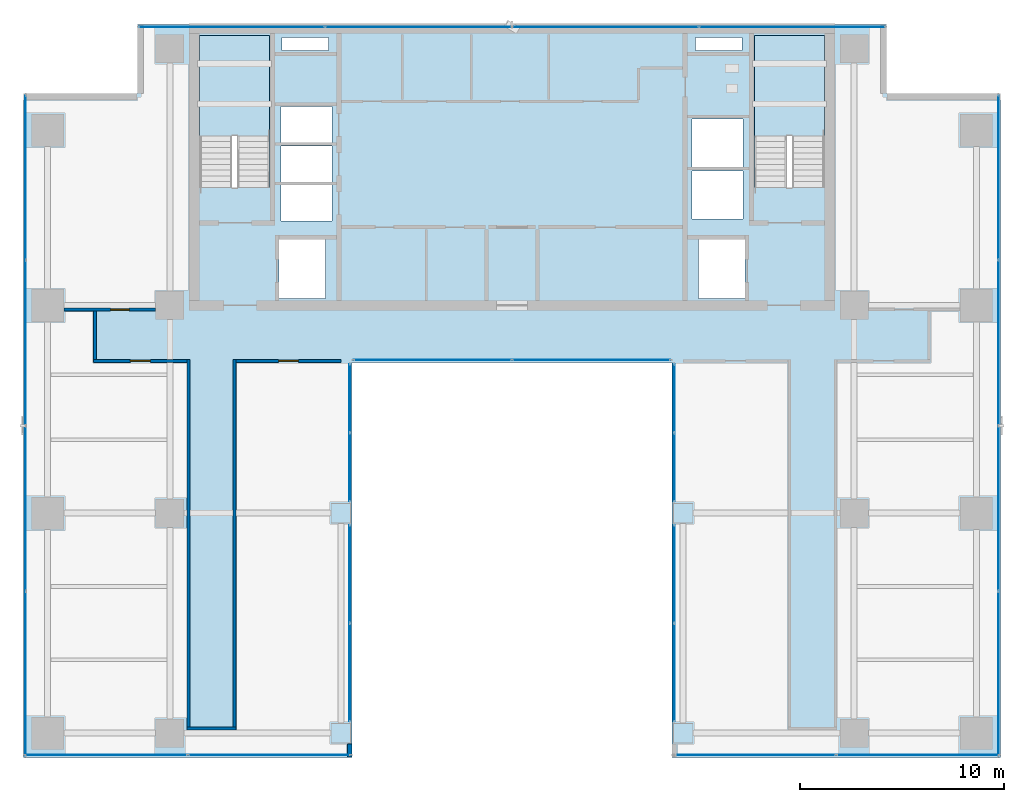
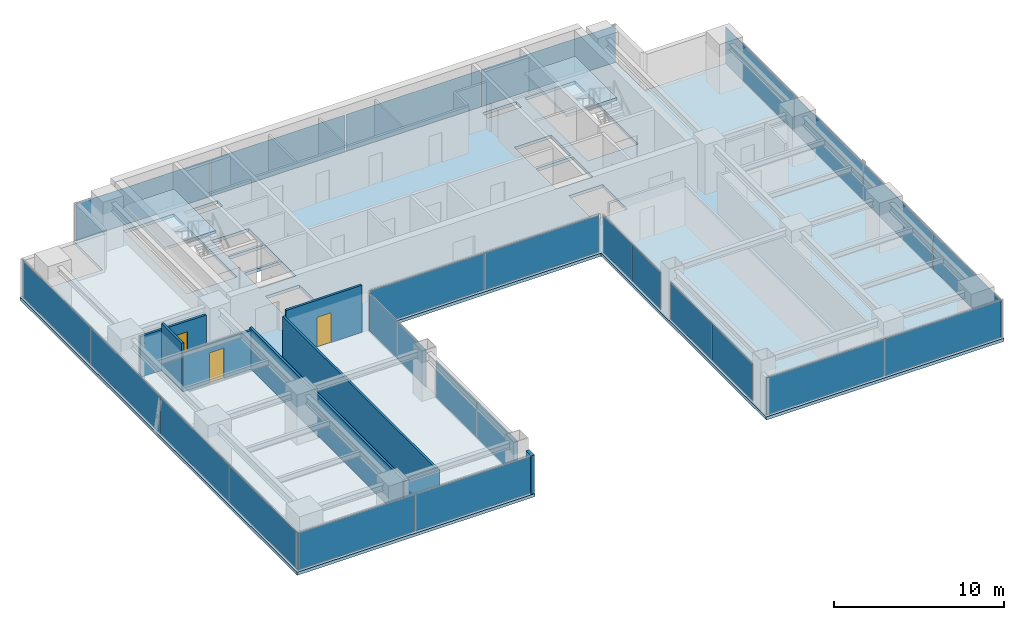
# One storey, part 23 of 28: 26 plates, 8 walls, 3 doors, 3 slabs, 3 openings, 12 elements without a shape of their own.
"""IFC4 building model written with IfcOpenShell, lengths in metres."""

from ifc_helpers import new_model, si_unit, direction, frame, frame_2d, origin, origin_2d, place, context, subcontext, project, spatial, polyline, rectangle, outline, extrude, source, transform, mapped, material, layer, layer_set, type_object, element, fill, aggregate, save


model = new_model("IFC4")

# Units and contexts
model_context = context("Model", 3, precision=1e-05, world=origin(), true_north=direction((0.0, 1.0)))
body_context = subcontext(model_context, "Body", "Model", "MODEL_VIEW")
ifc_project = project(units=[si_unit("LENGTHUNIT", "METRE"), si_unit("AREAUNIT", "SQUARE_METRE"), si_unit("VOLUMEUNIT", "CUBIC_METRE"), si_unit("PLANEANGLEUNIT", "RADIAN"), si_unit("MASSUNIT", "GRAM", prefix="KILO")], contexts=[model_context])

# Site, building, storey
site_placement = place(None, origin())
site = spatial("IfcSite", under=ifc_project, at=site_placement, CompositionType="ELEMENT")
building_placement = place(site_placement, origin())
building = spatial("IfcBuilding", under=site, at=building_placement, Name="Sumidabori Civic Tower", CompositionType="ELEMENT")
storey_placement = place(building_placement, frame((0.0, 0.0, 210.800048828125)))
storey = spatial("IfcBuildingStorey", under=building, at=storey_placement, Name="L54", CompositionType="ELEMENT", Elevation=210.800048828125)

# Stair, slab
ifc_material_1 = material(Name="Concrete C40/50", Category="concrete")
stair_type = type_object("IfcStairType", Name="ST-CORE-1600", PredefinedType="HALF_TURN_STAIR", material=ifc_material_1)
stair_1_placement = place(storey_placement, origin())
stair_1 = element("IfcStair", 1, at=stair_1_placement, inside=storey, type_object=stair_type, Name="L54 ST-1", PredefinedType="HALF_TURN_STAIR")
ifc_layer_1 = layer(ifc_material_1, 0.199951171875, Name="Concrete C40/50")
ifc_layer_set_1 = layer_set([ifc_layer_1], Name="Concrete C40/50")
slab_type_1 = type_object("IfcSlabType", Name="SL-LAND-200", PredefinedType="LANDING", material=ifc_layer_set_1)
slab_1_placement = place(storey_placement, frame((0.0, 0.0, 1.599853515625)))
slab_1 = element("IfcSlab", 2, at=slab_1_placement, type_object=slab_type_1, Name="ST-1 landing 1", PredefinedType="LANDING", context=body_context, shape_type="SweptSolid", body=[
    extrude(outline(polyline([(-11.89990234375, 18.52001953125), (-11.89990234375, 23.449951171875), (-15.340087890625, 23.449951171875), (-15.340087890625, 18.52001953125), (-11.89990234375, 18.52001953125)])), origin(), (0.0, 0.0, 1.0), 0.2001953125),
])
aggregate(stair_1, [slab_1])

stair_2_placement = place(storey_placement, origin())
stair_2 = element("IfcStair", 3, at=stair_2_placement, inside=storey, type_object=stair_type, Name="L54 ST-2", PredefinedType="HALF_TURN_STAIR")
slab_2_placement = place(storey_placement, frame((0.0, 0.0, 1.599853515625)))
slab_2 = element("IfcSlab", 4, at=slab_2_placement, type_object=slab_type_1, Name="ST-2 landing 1", PredefinedType="LANDING", context=body_context, shape_type="SweptSolid", body=[
    extrude(outline(polyline([(15.340087890625, 18.52001953125), (15.340087890625, 23.449951171875), (11.89990234375, 23.449951171875), (11.89990234375, 18.52001953125), (15.340087890625, 18.52001953125)])), origin(), (0.0, 0.0, 1.0), 0.2001953125),
])
aggregate(stair_2, [slab_2])

# Slab
ifc_layer_2 = layer(ifc_material_1, 0.219970703125, Name="Concrete C40/50")
ifc_layer_set_2 = layer_set([ifc_layer_2], Name="Concrete C40/50")
slab_type_2 = type_object("IfcSlabType", Name="SL-Z3-220", PredefinedType="FLOOR", material=ifc_layer_set_2)
slab_3_placement = place(storey_placement, frame((0.0, 0.0, -0.219970703125)))
element("IfcSlab", 5, at=slab_3_placement, inside=storey, type_object=slab_type_2, Name="Structural Slab L54", PredefinedType="FLOOR", context=body_context, shape_type="SweptSolid", body=[
    extrude(outline(polyline([(-24.0, -12.0), (-7.85009765625, -12.0), (-7.85009765625, 7.39990234375), (7.85009765625, 7.39990234375), (7.85009765625, -12.0), (24.0, -12.0), (24.0, 20.60009765625), (18.39990234375, 20.60009765625), (18.39990234375, 24.0), (-18.39990234375, 24.0), (-18.39990234375, 20.60009765625), (-24.0, 20.60009765625), (-24.0, -12.0)]), holes=[polyline([(-11.89990234375, 16.0), (-11.89990234375, 23.449951171875), (-15.340087890625, 23.449951171875), (-15.340087890625, 16.0), (-11.89990234375, 16.0)]), polyline([(15.340087890625, 16.0), (15.340087890625, 23.449951171875), (11.89990234375, 23.449951171875), (11.89990234375, 16.0), (15.340087890625, 16.0)]), polyline([(-11.449951171875, 10.550048828125), (-9.14990234375, 10.550048828125), (-9.14990234375, 13.449951171875), (-11.449951171875, 13.449951171875), (-11.449951171875, 10.550048828125)]), polyline([(9.14990234375, 10.550048828125), (11.449951171875, 10.550048828125), (11.449951171875, 13.449951171875), (9.14990234375, 13.449951171875), (9.14990234375, 10.550048828125)]), polyline([(-11.35009765625, 14.35009765625), (-8.85009765625, 14.35009765625), (-8.85009765625, 16.1201171875), (-11.35009765625, 16.1201171875), (-11.35009765625, 14.35009765625)]), polyline([(-11.35009765625, 16.27001953125), (-8.85009765625, 16.27001953125), (-8.85009765625, 18.0400390625), (-11.35009765625, 18.0400390625), (-11.35009765625, 16.27001953125)]), polyline([(-11.35009765625, 18.18994140625), (-8.85009765625, 18.18994140625), (-8.85009765625, 19.9599609375), (-11.35009765625, 19.9599609375), (-11.35009765625, 18.18994140625)]), polyline([(8.85009765625, 14.449951171875), (11.35009765625, 14.449951171875), (11.35009765625, 16.800048828125), (8.85009765625, 16.800048828125), (8.85009765625, 14.449951171875)]), polyline([(8.85009765625, 17.0), (11.35009765625, 17.0), (11.35009765625, 19.35009765625), (8.85009765625, 19.35009765625), (8.85009765625, 17.0)]), polyline([(-11.300048828125, 22.719970703125), (-9.0, 22.719970703125), (-9.0, 23.35009765625), (-11.300048828125, 23.35009765625), (-11.300048828125, 22.719970703125)]), polyline([(9.0, 22.719970703125), (11.300048828125, 22.719970703125), (11.300048828125, 23.35009765625), (9.0, 23.35009765625), (9.0, 22.719970703125)])]), origin(), (0.0, 0.0, 1.0), 0.219970703125),
])

# Curtain wall, plates
ifc_material_2 = material(Name="Anodised Bronze Aluminium AW-6063-T6", Category="aluminium")
ifc_layer_3 = layer(ifc_material_2, 0.179931640625, Name="Anodised Bronze Aluminium AW-6063-T6")
ifc_layer_set_3 = layer_set([ifc_layer_3], Name="Anodised Bronze Aluminium AW-6063-T6")
curtain_wall_type_1 = type_object("IfcCurtainWallType", Name="CW-SYS-5", PredefinedType="NOTDEFINED", material=ifc_layer_set_3)
curtain_wall_1_placement = place(storey_placement, origin())
curtain_wall_1 = element("IfcCurtainWall", 6, at=curtain_wall_1_placement, inside=storey, type_object=curtain_wall_type_1, Name="Curtain Wall CW:L54:R01", PredefinedType="NOTDEFINED")
ifc_material_3 = material(Name="Low-E Solar-Control Vision Glazing", Category="glass")
ifc_layer_4 = layer(ifc_material_3, 0.028076171875, Name="Low-E Solar-Control Vision Glazing")
ifc_layer_set_4 = layer_set([ifc_layer_4], Name="Low-E Solar-Control Vision Glazing")
plate_type_1 = type_object("IfcPlateType", Name="CW-PNL-28", PredefinedType="CURTAIN_PANEL", material=ifc_layer_set_4)
shared_shape_1 = source(origin(), body_context, "Body", "SweptSolid", [
    extrude(rectangle(XDim=7.955078125, YDim=0.028076171875, at=origin_2d()), origin(), (0.0, 0.0, 1.0), 2.639892578125),
])
plate_1_placement = place(storey_placement, frame((-19.9326171875, -11.8798828125, 0.06005859375), z_axis=(0.0, 0.0, 1.0), x_axis=(1.0, 0.0, 0.0)))
plate_1 = element("IfcPlate", 7, at=plate_1_placement, type_object=plate_type_1, Name="CW-5 panel 1.1", PredefinedType="CURTAIN_PANEL", context=body_context, shape_type="MappedRepresentation", body=[
    mapped(shared_shape_1, transform((0.0, 0.0, 0.0), x_axis=(1.0, 0.0, 0.0), y_axis=(0.0, 1.0, 0.0), z_axis=(0.0, 0.0, 1.0), scale=1.0)),
])
plate_2_placement = place(storey_placement, frame((-11.91748046875, -11.8798828125, 0.06005859375), z_axis=(0.0, 0.0, 1.0), x_axis=(1.0, 0.0, 0.0)))
plate_2 = element("IfcPlate", 8, at=plate_2_placement, type_object=plate_type_1, Name="CW-5 panel 2.1", PredefinedType="CURTAIN_PANEL", context=body_context, shape_type="MappedRepresentation", body=[
    mapped(shared_shape_1, transform((0.0, 0.0, 0.0), x_axis=(1.0, 0.0, 0.0), y_axis=(0.0, 1.0, 0.0), z_axis=(0.0, 0.0, 1.0), scale=1.0)),
])
aggregate(curtain_wall_1, [plate_1, plate_2])

curtain_wall_2_placement = place(storey_placement, origin())
curtain_wall_2 = element("IfcCurtainWall", 9, at=curtain_wall_2_placement, inside=storey, type_object=curtain_wall_type_1, Name="Curtain Wall CW:L54:R09", PredefinedType="NOTDEFINED")
plate_3_placement = place(storey_placement, frame((11.91748046875, -11.8798828125, 0.06005859375), z_axis=(0.0, 0.0, 1.0), x_axis=(1.0, 0.0, 0.0)))
plate_3 = element("IfcPlate", 10, at=plate_3_placement, type_object=plate_type_1, Name="CW-5 panel 1.1", PredefinedType="CURTAIN_PANEL", context=body_context, shape_type="MappedRepresentation", body=[
    mapped(shared_shape_1, transform((0.0, 0.0, 0.0), x_axis=(1.0, 0.0, 0.0), y_axis=(0.0, 1.0, 0.0), z_axis=(0.0, 0.0, 1.0), scale=1.0)),
])
plate_4_placement = place(storey_placement, frame((19.9326171875, -11.8798828125, 0.06005859375), z_axis=(0.0, 0.0, 1.0), x_axis=(1.0, 0.0, 0.0)))
plate_4 = element("IfcPlate", 11, at=plate_4_placement, type_object=plate_type_1, Name="CW-5 panel 2.1", PredefinedType="CURTAIN_PANEL", context=body_context, shape_type="MappedRepresentation", body=[
    mapped(shared_shape_1, transform((0.0, 0.0, 0.0), x_axis=(1.0, 0.0, 0.0), y_axis=(0.0, 1.0, 0.0), z_axis=(0.0, 0.0, 1.0), scale=1.0)),
])
aggregate(curtain_wall_2, [plate_3, plate_4])

ifc_layer_5 = layer(ifc_material_2, 0.179931640625, Name="Anodised Bronze Aluminium AW-6063-T6")
ifc_layer_set_5 = layer_set([ifc_layer_5], Name="Anodised Bronze Aluminium AW-6063-T6")
curtain_wall_type_2 = type_object("IfcCurtainWallType", Name="CW-SYS-4", PredefinedType="NOTDEFINED", material=ifc_layer_set_5)
curtain_wall_3_placement = place(storey_placement, origin())
curtain_wall_3 = element("IfcCurtainWall", 12, at=curtain_wall_3_placement, inside=storey, type_object=curtain_wall_type_2, Name="Curtain Wall CW:L54:R03", PredefinedType="NOTDEFINED")
ifc_material_4 = material(Name="Acoustic Laminated Portal Glazing", Category="glass")
ifc_layer_6 = layer(ifc_material_4, 0.030029296875, Name="Acoustic Laminated Portal Glazing")
ifc_layer_set_6 = layer_set([ifc_layer_6], Name="Acoustic Laminated Portal Glazing")
plate_type_2 = type_object("IfcPlateType", Name="CW-PNL-30", PredefinedType="CURTAIN_PANEL", material=ifc_layer_set_6)
shared_shape_2 = source(origin(), body_context, "Body", "SweptSolid", [
    extrude(rectangle(XDim=4.780029296875, YDim=0.030029296875, at=origin_2d()), origin(), (0.0, 0.0, 1.0), 2.639892578125),
])
plate_5_placement = place(storey_placement, frame((-7.969970703125, -7.820068359375, 0.06005859375), z_axis=(0.0, 0.0, 1.0), x_axis=(0.0, 1.0, 0.0)))
plate_5 = element("IfcPlate", 13, at=plate_5_placement, type_object=plate_type_2, Name="CW-4 panel 1.1", PredefinedType="CURTAIN_PANEL", context=body_context, shape_type="MappedRepresentation", body=[
    mapped(shared_shape_2, transform((0.0, 0.0, 0.0), x_axis=(1.0, 0.0, 0.0), y_axis=(0.0, 1.0, 0.0), z_axis=(0.0, 0.0, 1.0), scale=1.0)),
])
plate_6_placement = place(storey_placement, frame((-7.969970703125, -2.97998046875, 0.06005859375), z_axis=(0.0, 0.0, 1.0), x_axis=(0.0, 1.0, 0.0)))
plate_6 = element("IfcPlate", 14, at=plate_6_placement, type_object=plate_type_2, Name="CW-4 panel 2.1", PredefinedType="CURTAIN_PANEL", context=body_context, shape_type="MappedRepresentation", body=[
    mapped(shared_shape_2, transform((0.0, 0.0, 0.0), x_axis=(1.0, 0.0, 0.0), y_axis=(0.0, 1.0, 0.0), z_axis=(0.0, 0.0, 1.0), scale=1.0)),
])
aggregate(curtain_wall_3, [plate_5, plate_6])

curtain_wall_4_placement = place(storey_placement, origin())
curtain_wall_4 = element("IfcCurtainWall", 15, at=curtain_wall_4_placement, inside=storey, type_object=curtain_wall_type_2, Name="Curtain Wall CW:L54:R07", PredefinedType="NOTDEFINED")
plate_7_placement = place(storey_placement, frame((7.969970703125, -2.97998046875, 0.06005859375), z_axis=(0.0, 0.0, 1.0), x_axis=(0.0, -1.0, 0.0)))
plate_7 = element("IfcPlate", 16, at=plate_7_placement, type_object=plate_type_2, Name="CW-4 panel 1.1", PredefinedType="CURTAIN_PANEL", context=body_context, shape_type="MappedRepresentation", body=[
    mapped(shared_shape_2, transform((0.0, 0.0, 0.0), x_axis=(1.0, 0.0, 0.0), y_axis=(0.0, 1.0, 0.0), z_axis=(0.0, 0.0, 1.0), scale=1.0)),
])
plate_8_placement = place(storey_placement, frame((7.969970703125, -7.820068359375, 0.06005859375), z_axis=(0.0, 0.0, 1.0), x_axis=(0.0, -1.0, 0.0)))
plate_8 = element("IfcPlate", 17, at=plate_8_placement, type_object=plate_type_2, Name="CW-4 panel 2.1", PredefinedType="CURTAIN_PANEL", context=body_context, shape_type="MappedRepresentation", body=[
    mapped(shared_shape_2, transform((0.0, 0.0, 0.0), x_axis=(1.0, 0.0, 0.0), y_axis=(0.0, 1.0, 0.0), z_axis=(0.0, 0.0, 1.0), scale=1.0)),
])
aggregate(curtain_wall_4, [plate_7, plate_8])

curtain_wall_5_placement = place(storey_placement, origin())
curtain_wall_5 = element("IfcCurtainWall", 18, at=curtain_wall_5_placement, inside=storey, type_object=curtain_wall_type_2, Name="Curtain Wall CW:L54:R04", PredefinedType="NOTDEFINED")
shared_shape_3 = source(origin(), body_context, "Body", "SweptSolid", [
    extrude(rectangle(XDim=3.330078125, YDim=0.030029296875, at=origin_2d()), origin(), (0.0, 0.0, 1.0), 2.639892578125),
])
plate_9_placement = place(storey_placement, frame((-7.969970703125, 2.2548828125, 0.06005859375), z_axis=(0.0, 0.0, 1.0), x_axis=(0.0, 1.0, 0.0)))
plate_9 = element("IfcPlate", 19, at=plate_9_placement, type_object=plate_type_2, Name="CW-4 panel 1.1", PredefinedType="CURTAIN_PANEL", context=body_context, shape_type="MappedRepresentation", body=[
    mapped(shared_shape_3, transform((0.0, 0.0, 0.0), x_axis=(1.0, 0.0, 0.0), y_axis=(0.0, 1.0, 0.0), z_axis=(0.0, 0.0, 1.0), scale=1.0)),
])
plate_10_placement = place(storey_placement, frame((-7.969970703125, 5.64501953125, 0.06005859375), z_axis=(0.0, 0.0, 1.0), x_axis=(0.0, 1.0, 0.0)))
plate_10 = element("IfcPlate", 20, at=plate_10_placement, type_object=plate_type_2, Name="CW-4 panel 2.1", PredefinedType="CURTAIN_PANEL", context=body_context, shape_type="MappedRepresentation", body=[
    mapped(shared_shape_3, transform((0.0, 0.0, 0.0), x_axis=(1.0, 0.0, 0.0), y_axis=(0.0, 1.0, 0.0), z_axis=(0.0, 0.0, 1.0), scale=1.0)),
])
aggregate(curtain_wall_5, [plate_9, plate_10])

curtain_wall_6_placement = place(storey_placement, origin())
curtain_wall_6 = element("IfcCurtainWall", 21, at=curtain_wall_6_placement, inside=storey, type_object=curtain_wall_type_2, Name="Curtain Wall CW:L54:R06", PredefinedType="NOTDEFINED")
plate_11_placement = place(storey_placement, frame((7.969970703125, 5.64501953125, 0.06005859375), z_axis=(0.0, 0.0, 1.0), x_axis=(0.0, -1.0, 0.0)))
plate_11 = element("IfcPlate", 22, at=plate_11_placement, type_object=plate_type_2, Name="CW-4 panel 1.1", PredefinedType="CURTAIN_PANEL", context=body_context, shape_type="MappedRepresentation", body=[
    mapped(shared_shape_3, transform((0.0, 0.0, 0.0), x_axis=(1.0, 0.0, 0.0), y_axis=(0.0, 1.0, 0.0), z_axis=(0.0, 0.0, 1.0), scale=1.0)),
])
plate_12_placement = place(storey_placement, frame((7.969970703125, 2.2548828125, 0.06005859375), z_axis=(0.0, 0.0, 1.0), x_axis=(0.0, -1.0, 0.0)))
plate_12 = element("IfcPlate", 23, at=plate_12_placement, type_object=plate_type_2, Name="CW-4 panel 2.1", PredefinedType="CURTAIN_PANEL", context=body_context, shape_type="MappedRepresentation", body=[
    mapped(shared_shape_3, transform((0.0, 0.0, 0.0), x_axis=(1.0, 0.0, 0.0), y_axis=(0.0, 1.0, 0.0), z_axis=(0.0, 0.0, 1.0), scale=1.0)),
])
aggregate(curtain_wall_6, [plate_11, plate_12])

curtain_wall_7_placement = place(storey_placement, origin())
curtain_wall_7 = element("IfcCurtainWall", 24, at=curtain_wall_7_placement, inside=storey, type_object=curtain_wall_type_2, Name="Curtain Wall CW:L54:R05", PredefinedType="NOTDEFINED")
shared_shape_4 = source(origin(), body_context, "Body", "SweptSolid", [
    extrude(rectangle(XDim=7.72998046875, YDim=0.030029296875, at=origin_2d()), origin(), (0.0, 0.0, 1.0), 2.639892578125),
])
plate_13_placement = place(storey_placement, frame((-3.89501953125, 7.52001953125, 0.06005859375), z_axis=(0.0, 0.0, 1.0), x_axis=(1.0, 0.0, 0.0)))
plate_13 = element("IfcPlate", 25, at=plate_13_placement, type_object=plate_type_2, Name="CW-4 panel 1.1", PredefinedType="CURTAIN_PANEL", context=body_context, shape_type="MappedRepresentation", body=[
    mapped(shared_shape_4, transform((0.0, 0.0, 0.0), x_axis=(1.0, 0.0, 0.0), y_axis=(0.0, 1.0, 0.0), z_axis=(0.0, 0.0, 1.0), scale=1.0)),
])
plate_14_placement = place(storey_placement, frame((3.89501953125, 7.52001953125, 0.06005859375), z_axis=(0.0, 0.0, 1.0), x_axis=(1.0, 0.0, 0.0)))
plate_14 = element("IfcPlate", 26, at=plate_14_placement, type_object=plate_type_2, Name="CW-4 panel 2.1", PredefinedType="CURTAIN_PANEL", context=body_context, shape_type="MappedRepresentation", body=[
    mapped(shared_shape_4, transform((0.0, 0.0, 0.0), x_axis=(1.0, 0.0, 0.0), y_axis=(0.0, 1.0, 0.0), z_axis=(0.0, 0.0, 1.0), scale=1.0)),
])
aggregate(curtain_wall_7, [plate_13, plate_14])

curtain_wall_8_placement = place(storey_placement, origin())
curtain_wall_8 = element("IfcCurtainWall", 27, at=curtain_wall_8_placement, inside=storey, type_object=curtain_wall_type_1, Name="Curtain Wall CW:L54:R10", PredefinedType="NOTDEFINED")
shared_shape_5 = source(origin(), body_context, "Body", "SweptSolid", [
    extrude(rectangle(XDim=8.044921875, YDim=0.028076171875, at=origin_2d()), origin(), (0.0, 0.0, 1.0), 2.639892578125),
])
plate_15_placement = place(storey_placement, frame((23.8798828125, -7.887451171875, 0.06005859375), z_axis=(0.0, 0.0, 1.0), x_axis=(0.0, 1.0, 0.0)))
plate_15 = element("IfcPlate", 28, at=plate_15_placement, type_object=plate_type_1, Name="CW-5 panel 1.1", PredefinedType="CURTAIN_PANEL", context=body_context, shape_type="MappedRepresentation", body=[
    mapped(shared_shape_5, transform((0.0, 0.0, 0.0), x_axis=(1.0, 0.0, 0.0), y_axis=(0.0, 1.0, 0.0), z_axis=(0.0, 0.0, 1.0), scale=1.0)),
])
plate_16_placement = place(storey_placement, frame((23.8798828125, 16.487548828125, 0.06005859375), z_axis=(0.0, 0.0, 1.0), x_axis=(0.0, 1.0, 0.0)))
plate_16 = element("IfcPlate", 29, at=plate_16_placement, type_object=plate_type_1, Name="CW-5 panel 4.1", PredefinedType="CURTAIN_PANEL", context=body_context, shape_type="MappedRepresentation", body=[
    mapped(shared_shape_5, transform((0.0, 0.0, 0.0), x_axis=(1.0, 0.0, 0.0), y_axis=(0.0, 1.0, 0.0), z_axis=(0.0, 0.0, 1.0), scale=1.0)),
])

curtain_wall_9_placement = place(storey_placement, origin())
curtain_wall_9 = element("IfcCurtainWall", 30, at=curtain_wall_9_placement, inside=storey, type_object=curtain_wall_type_1, Name="Curtain Wall CW:L54:R16", PredefinedType="NOTDEFINED")
plate_17_placement = place(storey_placement, frame((-23.8798828125, 16.487548828125, 0.06005859375), z_axis=(0.0, 0.0, 1.0), x_axis=(0.0, -1.0, 0.0)))
plate_17 = element("IfcPlate", 31, at=plate_17_placement, type_object=plate_type_1, Name="CW-5 panel 1.1", PredefinedType="CURTAIN_PANEL", context=body_context, shape_type="MappedRepresentation", body=[
    mapped(shared_shape_5, transform((0.0, 0.0, 0.0), x_axis=(1.0, 0.0, 0.0), y_axis=(0.0, 1.0, 0.0), z_axis=(0.0, 0.0, 1.0), scale=1.0)),
])
plate_18_placement = place(storey_placement, frame((-23.8798828125, -7.887451171875, 0.06005859375), z_axis=(0.0, 0.0, 1.0), x_axis=(0.0, -1.0, 0.0)))
plate_18 = element("IfcPlate", 32, at=plate_18_placement, type_object=plate_type_1, Name="CW-5 panel 4.1", PredefinedType="CURTAIN_PANEL", context=body_context, shape_type="MappedRepresentation", body=[
    mapped(shared_shape_5, transform((0.0, 0.0, 0.0), x_axis=(1.0, 0.0, 0.0), y_axis=(0.0, 1.0, 0.0), z_axis=(0.0, 0.0, 1.0), scale=1.0)),
])

# Plate
shared_shape_6 = source(origin(), body_context, "Body", "SweptSolid", [
    extrude(rectangle(XDim=8.074951171875, YDim=0.028076171875, at=origin_2d()), origin(), (0.0, 0.0, 1.0), 2.639892578125),
])
plate_19_placement = place(storey_placement, frame((23.8798828125, 0.232421875, 0.06005859375), z_axis=(0.0, 0.0, 1.0), x_axis=(0.0, 1.0, 0.0)))
plate_19 = element("IfcPlate", 33, at=plate_19_placement, type_object=plate_type_1, Name="CW-5 panel 2.1", PredefinedType="CURTAIN_PANEL", context=body_context, shape_type="MappedRepresentation", body=[
    mapped(shared_shape_6, transform((0.0, 0.0, 0.0), x_axis=(1.0, 0.0, 0.0), y_axis=(0.0, 1.0, 0.0), z_axis=(0.0, 0.0, 1.0), scale=1.0)),
])

plate_20_placement = place(storey_placement, frame((23.8798828125, 8.367431640625, 0.06005859375), z_axis=(0.0, 0.0, 1.0), x_axis=(0.0, 1.0, 0.0)))
plate_20 = element("IfcPlate", 34, at=plate_20_placement, type_object=plate_type_1, Name="CW-5 panel 3.1", PredefinedType="CURTAIN_PANEL", context=body_context, shape_type="MappedRepresentation", body=[
    mapped(shared_shape_6, transform((0.0, 0.0, 0.0), x_axis=(1.0, 0.0, 0.0), y_axis=(0.0, 1.0, 0.0), z_axis=(0.0, 0.0, 1.0), scale=1.0)),
])

aggregate(curtain_wall_8, [plate_15, plate_19, plate_20, plate_16])

plate_21_placement = place(storey_placement, frame((-23.8798828125, 8.367431640625, 0.06005859375), z_axis=(0.0, 0.0, 1.0), x_axis=(0.0, -1.0, 0.0)))
plate_21 = element("IfcPlate", 35, at=plate_21_placement, type_object=plate_type_1, Name="CW-5 panel 2.1", PredefinedType="CURTAIN_PANEL", context=body_context, shape_type="MappedRepresentation", body=[
    mapped(shared_shape_6, transform((0.0, 0.0, 0.0), x_axis=(1.0, 0.0, 0.0), y_axis=(0.0, 1.0, 0.0), z_axis=(0.0, 0.0, 1.0), scale=1.0)),
])

plate_22_placement = place(storey_placement, frame((-23.8798828125, 0.232421875, 0.06005859375), z_axis=(0.0, 0.0, 1.0), x_axis=(0.0, -1.0, 0.0)))
plate_22 = element("IfcPlate", 36, at=plate_22_placement, type_object=plate_type_1, Name="CW-5 panel 3.1", PredefinedType="CURTAIN_PANEL", context=body_context, shape_type="MappedRepresentation", body=[
    mapped(shared_shape_6, transform((0.0, 0.0, 0.0), x_axis=(1.0, 0.0, 0.0), y_axis=(0.0, 1.0, 0.0), z_axis=(0.0, 0.0, 1.0), scale=1.0)),
])

aggregate(curtain_wall_9, [plate_17, plate_21, plate_22, plate_18])

# Curtain wall, plates
curtain_wall_10_placement = place(storey_placement, origin())
curtain_wall_10 = element("IfcCurtainWall", 37, at=curtain_wall_10_placement, inside=storey, type_object=curtain_wall_type_1, Name="Curtain Wall CW:L54:R13", PredefinedType="NOTDEFINED")
shared_shape_7 = source(origin(), body_context, "Body", "SweptSolid", [
    extrude(rectangle(XDim=9.094970703125, YDim=0.028076171875, at=origin_2d()), origin(), (0.0, 0.0, 1.0), 2.639892578125),
])
plate_23_placement = place(storey_placement, frame((13.762451171875, 23.8798828125, 0.06005859375), z_axis=(0.0, 0.0, 1.0), x_axis=(-1.0, 0.0, 0.0)))
plate_23 = element("IfcPlate", 38, at=plate_23_placement, type_object=plate_type_1, Name="CW-5 panel 1.1", PredefinedType="CURTAIN_PANEL", context=body_context, shape_type="MappedRepresentation", body=[
    mapped(shared_shape_7, transform((0.0, 0.0, 0.0), x_axis=(1.0, 0.0, 0.0), y_axis=(0.0, 1.0, 0.0), z_axis=(0.0, 0.0, 1.0), scale=1.0)),
])
plate_24_placement = place(storey_placement, frame((-13.762451171875, 23.8798828125, 0.06005859375), z_axis=(0.0, 0.0, 1.0), x_axis=(-1.0, 0.0, 0.0)))
plate_24 = element("IfcPlate", 39, at=plate_24_placement, type_object=plate_type_1, Name="CW-5 panel 4.1", PredefinedType="CURTAIN_PANEL", context=body_context, shape_type="MappedRepresentation", body=[
    mapped(shared_shape_7, transform((0.0, 0.0, 0.0), x_axis=(1.0, 0.0, 0.0), y_axis=(0.0, 1.0, 0.0), z_axis=(0.0, 0.0, 1.0), scale=1.0)),
])
shared_shape_8 = source(origin(), body_context, "Body", "SweptSolid", [
    extrude(rectangle(XDim=9.125, YDim=0.028076171875, at=origin_2d()), origin(), (0.0, 0.0, 1.0), 2.639892578125),
])
plate_25_placement = place(storey_placement, frame((4.592529296875, 23.8798828125, 0.06005859375), z_axis=(0.0, 0.0, 1.0), x_axis=(-1.0, 0.0, 0.0)))
plate_25 = element("IfcPlate", 40, at=plate_25_placement, type_object=plate_type_1, Name="CW-5 panel 2.1", PredefinedType="CURTAIN_PANEL", context=body_context, shape_type="MappedRepresentation", body=[
    mapped(shared_shape_8, transform((0.0, 0.0, 0.0), x_axis=(1.0, 0.0, 0.0), y_axis=(0.0, 1.0, 0.0), z_axis=(0.0, 0.0, 1.0), scale=1.0)),
])
plate_26_placement = place(storey_placement, frame((-4.592529296875, 23.8798828125, 0.06005859375), z_axis=(0.0, 0.0, 1.0), x_axis=(-1.0, 0.0, 0.0)))
plate_26 = element("IfcPlate", 41, at=plate_26_placement, type_object=plate_type_1, Name="CW-5 panel 3.1", PredefinedType="CURTAIN_PANEL", context=body_context, shape_type="MappedRepresentation", body=[
    mapped(shared_shape_8, transform((0.0, 0.0, 0.0), x_axis=(1.0, 0.0, 0.0), y_axis=(0.0, 1.0, 0.0), z_axis=(0.0, 0.0, 1.0), scale=1.0)),
])
aggregate(curtain_wall_10, [plate_23, plate_25, plate_26, plate_24])

# Wall
ifc_material_5 = material(Name="Precast concrete C40/50", Category="concrete")
ifc_layer_7 = layer(ifc_material_5, 0.300048828125, Name="Precast concrete C40/50")
ifc_layer_set_7 = layer_set([ifc_layer_7], Name="Precast concrete C40/50")
wall_type_1 = type_object("IfcWallType", Name="WL-EXT-POD300", PredefinedType="STANDARD", material=ifc_layer_set_7)
shared_shape_9 = source(origin(), body_context, "Body", "SweptSolid", [
    extrude(rectangle(XDim=0.639892578125, YDim=0.239990234375, at=frame_2d((0.31982421875, 0.0))), origin(), (0.0, 0.0, 1.0), 2.760009765625),
])
wall_1_placement = place(storey_placement, frame((-7.969970703125, -11.969970703125, 0.0), z_axis=(0.0, 0.0, 1.0), x_axis=(0.0, 1.0, 0.0)))
element("IfcWall", 42, at=wall_1_placement, inside=storey, type_object=wall_type_1, Name="Perimeter Pier Spandrel L54-02", PredefinedType="STANDARD", context=body_context, shape_type="MappedRepresentation", body=[
    mapped(shared_shape_9, transform((0.0, 0.0, 0.0), x_axis=(1.0, 0.0, 0.0), y_axis=(0.0, 1.0, 0.0), z_axis=(0.0, 0.0, 1.0), scale=1.0)),
])

# Wall, opening, door
ifc_material_6 = material(Name="Gypsum Plasterboard Acoustic Partition")
ifc_layer_8 = layer(ifc_material_6, 0.14990234375, Name="Gypsum Plasterboard Acoustic Partition")
ifc_layer_set_8 = layer_set([ifc_layer_8], Name="Gypsum Plasterboard Acoustic Partition")
wall_type_2 = type_object("IfcWallType", Name="WL-PART-150", PredefinedType="PARTITIONING", material=ifc_layer_set_8)
shared_shape_10 = source(origin(), body_context, "Body", "SweptSolid", [
    extrude(rectangle(XDim=4.47998046875, YDim=0.14990234375, at=frame_2d((2.239990234375, 0.0))), origin(), (0.0, 0.0, 1.0), 2.9150390625),
])
wall_2_placement = place(storey_placement, frame((-21.989990234375, 10.0, 0.0), z_axis=(0.0, 0.0, 1.0), x_axis=(1.0, 0.0, 0.0)))
wall_2 = element("IfcWall", 43, at=wall_2_placement, inside=storey, type_object=wall_type_2, Name="Interior Partition WL:L54:FLK-NW", PredefinedType="PARTITIONING", context=body_context, shape_type="MappedRepresentation", body=[
    mapped(shared_shape_10, transform((0.0, 0.0, 0.0), x_axis=(1.0, 0.0, 0.0), y_axis=(0.0, 1.0, 0.0), z_axis=(0.0, 0.0, 1.0), scale=1.0)),
])
opening_1_placement = place(wall_2_placement, frame((2.284912109375, 0.0, 0.0)))
opening_1 = element("IfcOpeningElement", 44, at=opening_1_placement, cuts=wall_2, Name="Opening DR-1", PredefinedType="OPENING", context=body_context, shape_type="SweptSolid", body=[
    extrude(rectangle(XDim=0.89990234375, YDim=2.14990234375, at=frame_2d((0.449951171875, 1.074951171875))), frame((0.0, 0.0869140625, 0.0), z_axis=(0.0, -1.0, 0.0), x_axis=(1.0, 0.0, 0.0)), (0.0, 0.0, 1.0), 0.173828125),
])
ifc_material_7 = material(Name="Japanese Hinoki Timber", Category="wood")
door_type_1 = type_object("IfcDoorType", Name="DR-INT-900", OperationType="NOTDEFINED", PredefinedType="DOOR", material=ifc_material_7)
shared_shape_11 = source(origin(), body_context, "Body", "SweptSolid", [
    extrude(rectangle(XDim=0.89990234375, YDim=2.14990234375, at=frame_2d((0.449951171875, 1.074951171875))), frame((0.0, 0.02490234375, 0.0), z_axis=(0.0, -1.0, 0.0), x_axis=(1.0, 0.0, 0.0)), (0.0, 0.0, 1.0), 0.050048828125),
])
door_1_placement = place(opening_1_placement, origin())
door_1 = element("IfcDoor", 45, at=door_1_placement, inside=storey, type_object=door_type_1, Name="Door DR:L54:FLK-NW", OperationType="SINGLE_SWING_LEFT", OverallHeight=2.14990234375, OverallWidth=0.89990234375, PredefinedType="DOOR", context=body_context, shape_type="MappedRepresentation", body=[
    mapped(shared_shape_11, transform((0.0, 0.0, 0.0), x_axis=(1.0, 0.0, 0.0), y_axis=(0.0, 1.0, 0.0), z_axis=(0.0, 0.0, 1.0), scale=1.0)),
])
fill(opening_1, door_1)

# Walls
shared_shape_12 = source(origin(), body_context, "Body", "SweptSolid", [
    extrude(rectangle(XDim=2.39990234375, YDim=0.14990234375, at=frame_2d((1.199951171875, 0.0))), origin(), (0.0, 0.0, 1.0), 2.9150390625),
])
wall_3_placement = place(storey_placement, frame((-15.949951171875, -10.574951171875, 0.0), z_axis=(0.0, 0.0, 1.0), x_axis=(1.0, 0.0, 0.0)))
element("IfcWall", 46, at=wall_3_placement, inside=storey, type_object=wall_type_2, Name="Interior Partition WL:L54:CORR-CAP-W", PredefinedType="PARTITIONING", context=body_context, shape_type="MappedRepresentation", body=[
    mapped(shared_shape_12, transform((0.0, 0.0, 0.0), x_axis=(1.0, 0.0, 0.0), y_axis=(0.0, 1.0, 0.0), z_axis=(0.0, 0.0, 1.0), scale=1.0)),
])
shared_shape_13 = source(origin(), body_context, "Body", "SweptSolid", [
    extrude(rectangle(XDim=18.045166015625, YDim=0.14990234375, at=frame_2d((9.0224609375, 0.0))), origin(), (0.0, 0.0, 1.0), 2.9150390625),
])
for number, where, z_axis, x_axis, name in (
    (47, (-15.875, -10.4951171875, 0.0), (0.0, 0.0, 1.0), (0.0, 1.0, 0.0), "Interior Partition WL:L54:CORR-VPW-O"),
    (48, (-13.625, -10.4951171875, 0.0), (0.0, 0.0, 1.0), (0.0, 1.0, 0.0), "Interior Partition WL:L54:CORR-VPW-I"),
):
    element("IfcWall", number, at=place(storey_placement, frame(where, z_axis=z_axis, x_axis=x_axis)), inside=storey, type_object=wall_type_2, Name=name, PredefinedType="PARTITIONING", context=body_context, shape_type="MappedRepresentation", body=[
        mapped(shared_shape_13, transform((0.0, 0.0, 0.0), x_axis=(1.0, 0.0, 0.0), y_axis=(0.0, 1.0, 0.0), z_axis=(0.0, 0.0, 1.0), scale=1.0)),
    ])

# Wall, opening, door
shared_shape_14 = source(origin(), body_context, "Body", "SweptSolid", [
    extrude(rectangle(XDim=4.60009765625, YDim=0.14990234375, at=frame_2d((2.300048828125, 0.0))), origin(), (0.0, 0.0, 1.0), 2.764892578125),
])
wall_4_placement = place(storey_placement, frame((-20.550048828125, 7.47509765625, 0.0), z_axis=(0.0, 0.0, 1.0), x_axis=(1.0, 0.0, 0.0)))
wall_4 = element("IfcWall", 49, at=wall_4_placement, inside=storey, type_object=wall_type_2, Name="Interior Partition WL:L54:CORR-SWO", PredefinedType="PARTITIONING", context=body_context, shape_type="MappedRepresentation", body=[
    mapped(shared_shape_14, transform((0.0, 0.0, 0.0), x_axis=(1.0, 0.0, 0.0), y_axis=(0.0, 1.0, 0.0), z_axis=(0.0, 0.0, 1.0), scale=1.0)),
])
opening_2_placement = place(wall_4_placement, frame((1.81005859375, 0.0, 0.0)))
opening_2 = element("IfcOpeningElement", 50, at=opening_2_placement, cuts=wall_4, Name="Opening DR-3", PredefinedType="OPENING", context=body_context, shape_type="SweptSolid", body=[
    extrude(rectangle(XDim=0.97998046875, YDim=2.14990234375, at=frame_2d((0.489990234375, 1.074951171875))), frame((0.0, 0.0869140625, 0.0), z_axis=(0.0, -1.0, 0.0), x_axis=(1.0, 0.0, 0.0)), (0.0, 0.0, 1.0), 0.173828125),
])
door_type_2 = type_object("IfcDoorType", Name="DR-INT-980", OperationType="NOTDEFINED", PredefinedType="DOOR", material=ifc_material_7)
shared_shape_15 = source(origin(), body_context, "Body", "SweptSolid", [
    extrude(rectangle(XDim=0.97998046875, YDim=2.14990234375, at=frame_2d((0.489990234375, 1.074951171875))), frame((0.0, 0.02490234375, 0.0), z_axis=(0.0, -1.0, 0.0), x_axis=(1.0, 0.0, 0.0)), (0.0, 0.0, 1.0), 0.050048828125),
])
door_2_placement = place(opening_2_placement, origin())
door_2 = element("IfcDoor", 51, at=door_2_placement, inside=storey, type_object=door_type_2, Name="Door DR:L54:D03", OperationType="SINGLE_SWING_LEFT", OverallHeight=2.14990234375, OverallWidth=0.97998046875, PredefinedType="DOOR", context=body_context, shape_type="MappedRepresentation", body=[
    mapped(shared_shape_15, transform((0.0, 0.0, 0.0), x_axis=(1.0, 0.0, 0.0), y_axis=(0.0, 1.0, 0.0), z_axis=(0.0, 0.0, 1.0), scale=1.0)),
])
fill(opening_2, door_2)

shared_shape_16 = source(origin(), body_context, "Body", "SweptSolid", [
    extrude(rectangle(XDim=5.150146484375, YDim=0.14990234375, at=frame_2d((2.5751953125, 0.0))), origin(), (0.0, 0.0, 1.0), 3.3798828125),
])
wall_5_placement = place(storey_placement, frame((-13.550048828125, 7.47509765625, 0.0), z_axis=(0.0, 0.0, 1.0), x_axis=(1.0, 0.0, 0.0)))
wall_5 = element("IfcWall", 52, at=wall_5_placement, inside=storey, type_object=wall_type_2, Name="Interior Partition WL:L54:CORR-SWI", PredefinedType="PARTITIONING", context=body_context, shape_type="MappedRepresentation", body=[
    mapped(shared_shape_16, transform((0.0, 0.0, 0.0), x_axis=(1.0, 0.0, 0.0), y_axis=(0.0, 1.0, 0.0), z_axis=(0.0, 0.0, 1.0), scale=1.0)),
])
opening_3_placement = place(wall_5_placement, frame((2.0849609375, 0.0, 0.0)))
opening_3 = element("IfcOpeningElement", 53, at=opening_3_placement, cuts=wall_5, Name="Opening DR-3", PredefinedType="OPENING", context=body_context, shape_type="SweptSolid", body=[
    extrude(rectangle(XDim=0.97998046875, YDim=2.14990234375, at=frame_2d((0.489990234375, 1.074951171875))), frame((0.0, 0.0869140625, 0.0), z_axis=(0.0, -1.0, 0.0), x_axis=(1.0, 0.0, 0.0)), (0.0, 0.0, 1.0), 0.173828125),
])
door_3_placement = place(opening_3_placement, origin())
door_3 = element("IfcDoor", 54, at=door_3_placement, inside=storey, type_object=door_type_2, Name="Door DR:L54:D05", OperationType="SINGLE_SWING_LEFT", OverallHeight=2.14990234375, OverallWidth=0.97998046875, PredefinedType="DOOR", context=body_context, shape_type="MappedRepresentation", body=[
    mapped(shared_shape_15, transform((0.0, 0.0, 0.0), x_axis=(1.0, 0.0, 0.0), y_axis=(0.0, 1.0, 0.0), z_axis=(0.0, 0.0, 1.0), scale=1.0)),
])
fill(opening_3, door_3)

# Wall
shared_shape_17 = source(origin(), body_context, "Body", "SweptSolid", [
    extrude(rectangle(XDim=2.364990234375, YDim=0.14990234375, at=frame_2d((1.1826171875, 0.0))), origin(), (0.0, 0.0, 1.0), 3.3798828125),
])
wall_6_placement = place(storey_placement, frame((-20.47509765625, 7.554931640625, 0.0), z_axis=(0.0, 0.0, 1.0), x_axis=(0.0, 1.0, 0.0)))
element("IfcWall", 55, at=wall_6_placement, inside=storey, type_object=wall_type_2, Name="Interior Partition WL:L54:CORR-VNW", PredefinedType="PARTITIONING", context=body_context, shape_type="MappedRepresentation", body=[
    mapped(shared_shape_17, transform((0.0, 0.0, 0.0), x_axis=(1.0, 0.0, 0.0), y_axis=(0.0, 1.0, 0.0), z_axis=(0.0, 0.0, 1.0), scale=1.0)),
])

save(model, "model.ifc")
